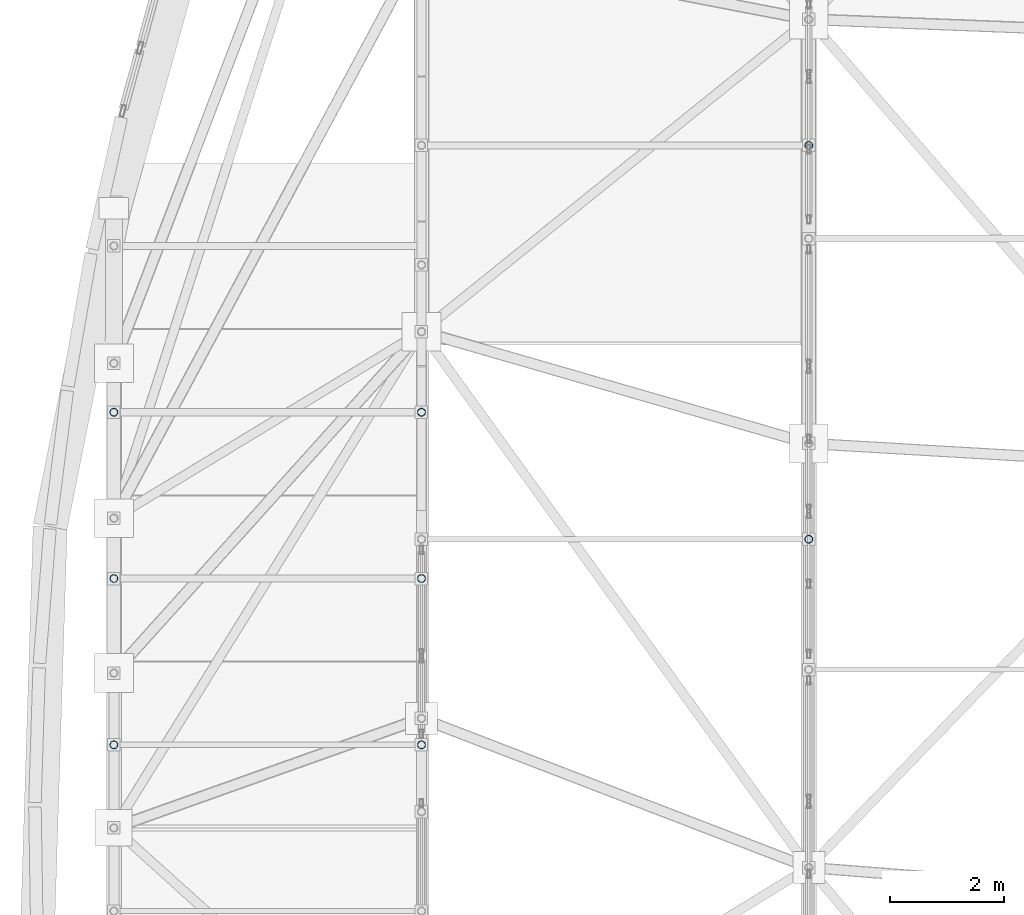
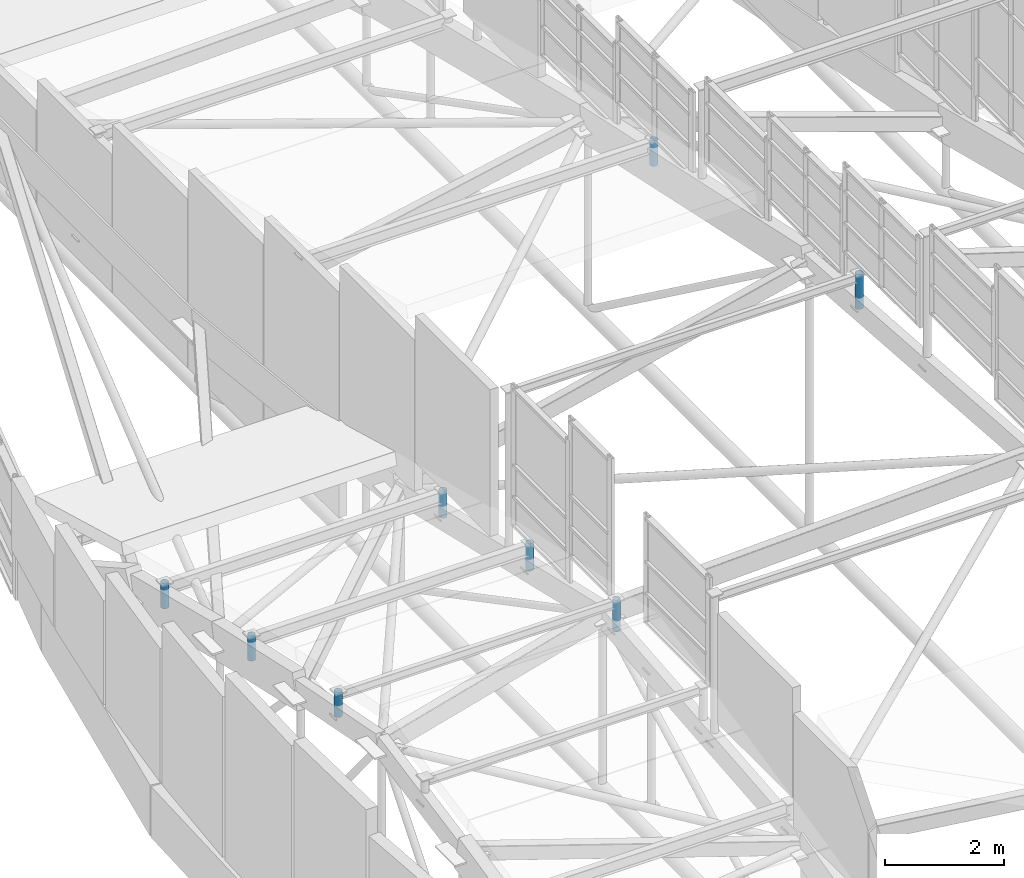
# One storey, part 135 of 188: 8 members.
"""IFC4 building model written with IfcOpenShell, lengths in metres."""

from ifc_helpers import new_model, si_unit, direction, frame, origin, origin_2d, place, context, subcontext, project, spatial, hollow_circle, extrude, material, material_profile, profile_set, type_object, element, save


model = new_model("IFC4")

# Units and contexts
model_context = context("Model", 3, precision=1e-05, world=origin(), true_north=direction((0.0, 1.0)))
body_context = subcontext(model_context, "Body", "Model", "MODEL_VIEW")
ifc_project = project(units=[si_unit("LENGTHUNIT", "METRE"), si_unit("AREAUNIT", "SQUARE_METRE"), si_unit("VOLUMEUNIT", "CUBIC_METRE"), si_unit("PLANEANGLEUNIT", "RADIAN"), si_unit("MASSUNIT", "GRAM", prefix="KILO")], contexts=[model_context])

# Site, building, storey
site_placement = place(None, origin())
site = spatial("IfcSite", under=ifc_project, at=site_placement, CompositionType="ELEMENT")
building_placement = place(site_placement, origin())
building = spatial("IfcBuilding", under=site, at=building_placement, Name="Kisaragi Civic Commons", CompositionType="ELEMENT")
storey_placement = place(building_placement, frame((0.0, 0.0, 9.60009765625)))
storey = spatial("IfcBuildingStorey", under=building, at=storey_placement, Name="L02", CompositionType="ELEMENT", Elevation=9.60009765625)

# Members
ifc_material = material(Name="Steel SN490 (SN490B)", Category="steel")
ifc_material_profile = material_profile(ifc_material, hollow_circle(Radius=0.06982421875, WallThickness=0.006103515625, at=origin_2d()), Name="CHS-139.8x6.0", Category="steel")
ifc_profile_set = profile_set([ifc_material_profile], Name="Steel SN490 (SN490B)")
member_type = type_object("IfcMemberType", Name="ST-H1", PredefinedType="STRUT", material=ifc_profile_set)
member_1_placement = place(storey_placement, frame((1.39990234375, 34.77490234375, 2.975830078125), z_axis=(0.0, 0.0, 1.0), x_axis=(1.0, 0.0, 0.0)))
element("IfcMember", 1, at=member_1_placement, inside=storey, type_object=member_type, Name="V1 clerestory monitor horizontal tie strut 1.0.5", PredefinedType="STRUT", context=body_context, shape_type="SweptSolid", body=[
    extrude(hollow_circle(Radius=0.06982421875, WallThickness=0.006103515625, at=origin_2d()), origin(), (0.0, 0.0, 1.0), 0.510986328125),
])
member_2_placement = place(storey_placement, frame((6.800048828125, 34.77490234375, 2.843994140625), z_axis=(0.0, 0.0, 1.0), x_axis=(1.0, 0.0, 0.0)))
element("IfcMember", 2, at=member_2_placement, inside=storey, type_object=member_type, Name="V1 clerestory monitor horizontal tie strut 1.1.5", PredefinedType="STRUT", context=body_context, shape_type="SweptSolid", body=[
    extrude(hollow_circle(Radius=0.06982421875, WallThickness=0.006103515625, at=origin_2d()), origin(), (0.0, 0.0, 1.0), 0.642822265625),
])
member_3_placement = place(storey_placement, frame((1.39990234375, 37.6943359375, 2.36181640625), z_axis=(0.0, 0.0, 1.0), x_axis=(1.0, 0.0, 0.0)))
element("IfcMember", 3, at=member_3_placement, inside=storey, type_object=member_type, Name="V1 clerestory monitor horizontal tie strut 1.0.6", PredefinedType="STRUT", context=body_context, shape_type="SweptSolid", body=[
    extrude(hollow_circle(Radius=0.06982421875, WallThickness=0.006103515625, at=origin_2d()), origin(), (0.0, 0.0, 1.0), 0.510986328125),
])
member_4_placement = place(storey_placement, frame((6.800048828125, 37.6943359375, 2.315185546875), z_axis=(0.0, 0.0, 1.0), x_axis=(1.0, 0.0, 0.0)))
element("IfcMember", 4, at=member_4_placement, inside=storey, type_object=member_type, Name="V1 clerestory monitor horizontal tie strut 1.1.6", PredefinedType="STRUT", context=body_context, shape_type="SweptSolid", body=[
    extrude(hollow_circle(Radius=0.06982421875, WallThickness=0.006103515625, at=origin_2d()), origin(), (0.0, 0.0, 1.0), 0.5576171875),
])
member_5_placement = place(storey_placement, frame((1.39990234375, 40.613525390625, 1.6650390625), z_axis=(0.0, 0.0, 1.0), x_axis=(1.0, 0.0, 0.0)))
element("IfcMember", 5, at=member_5_placement, inside=storey, type_object=member_type, Name="V1 clerestory monitor horizontal tie strut 1.0.7", PredefinedType="STRUT", context=body_context, shape_type="SweptSolid", body=[
    extrude(hollow_circle(Radius=0.06982421875, WallThickness=0.006103515625, at=origin_2d()), origin(), (0.0, 0.0, 1.0), 0.516845703125),
])
member_6_placement = place(storey_placement, frame((6.800048828125, 40.613525390625, 1.635498046875), z_axis=(0.0, 0.0, 1.0), x_axis=(1.0, 0.0, 0.0)))
element("IfcMember", 6, at=member_6_placement, inside=storey, type_object=member_type, Name="V1 clerestory monitor horizontal tie strut 1.1.7", PredefinedType="STRUT", context=body_context, shape_type="SweptSolid", body=[
    extrude(hollow_circle(Radius=0.06982421875, WallThickness=0.006103515625, at=origin_2d()), origin(), (0.0, 0.0, 1.0), 0.54638671875),
])
member_7_placement = place(storey_placement, frame((13.60009765625, 38.384521484375, 4.893310546875), z_axis=(0.0, 0.0, 1.0), x_axis=(1.0, 0.0, 0.0)))
element("IfcMember", 7, at=member_7_placement, inside=storey, type_object=member_type, Name="V1 clerestory monitor horizontal tie strut 2.2.5", PredefinedType="STRUT", context=body_context, shape_type="SweptSolid", body=[
    extrude(hollow_circle(Radius=0.06982421875, WallThickness=0.006103515625, at=origin_2d()), origin(), (0.0, 0.0, 1.0), 0.711669921875),
])
member_8_placement = place(storey_placement, frame((13.60009765625, 45.297607421875, 3.63720703125), z_axis=(0.0, 0.0, 1.0), x_axis=(1.0, 0.0, 0.0)))
element("IfcMember", 8, at=member_8_placement, inside=storey, type_object=member_type, Name="V1 clerestory monitor horizontal tie strut 2.2.6", PredefinedType="STRUT", context=body_context, shape_type="SweptSolid", body=[
    extrude(hollow_circle(Radius=0.06982421875, WallThickness=0.006103515625, at=origin_2d()), origin(), (0.0, 0.0, 1.0), 0.523193359375),
])

save(model, "model.ifc")
